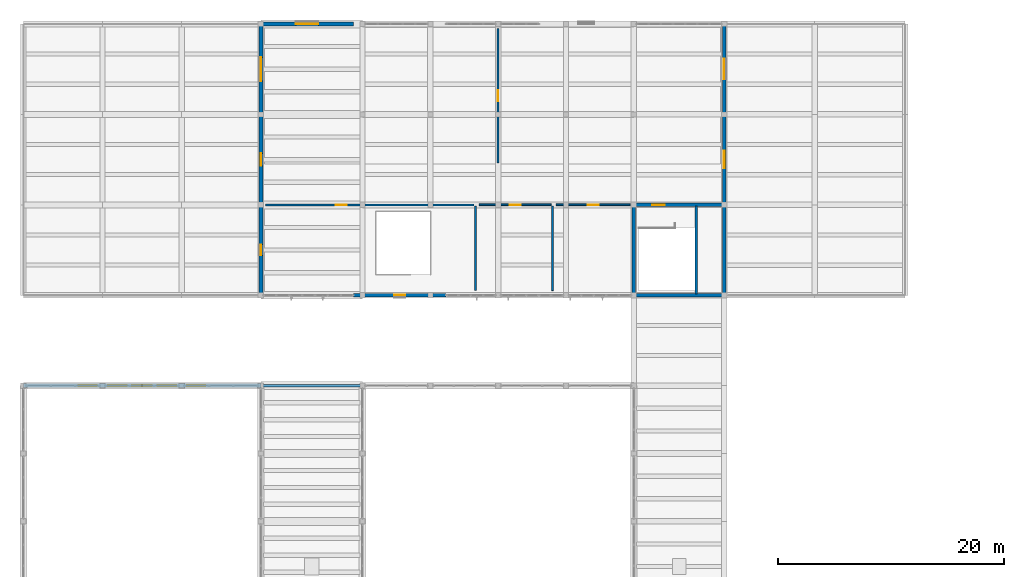
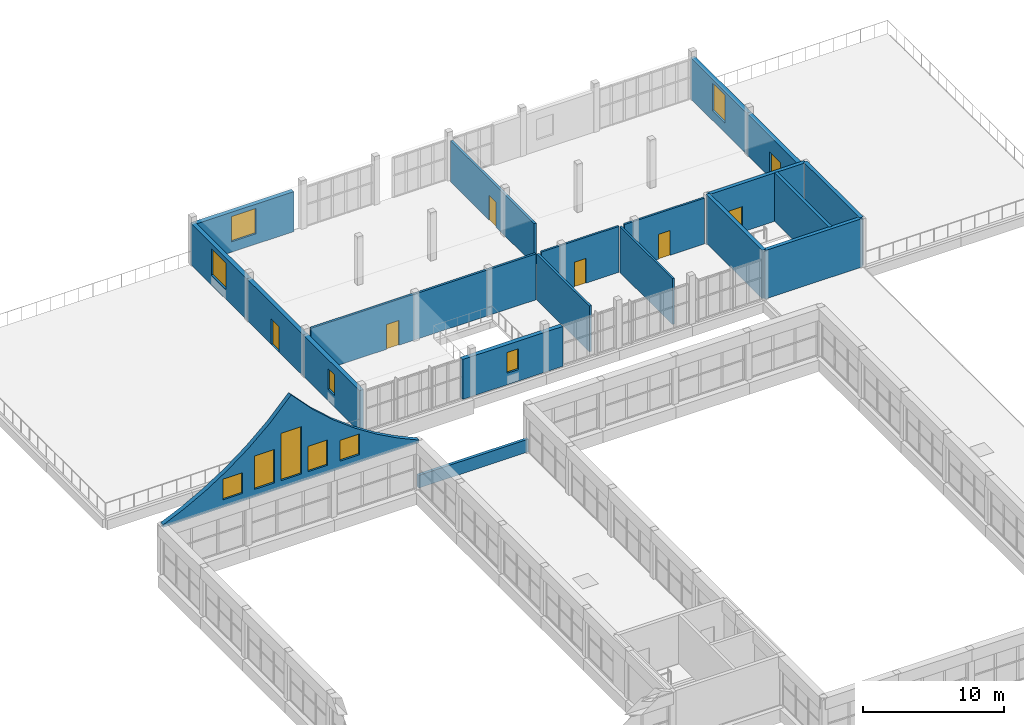
# One storey, part 55 of 70: 20 walls, 10 windows, 7 doors, 17 openings.
"""IFC4 building model written with IfcOpenShell, lengths in metres."""

from ifc_helpers import new_model, si_unit, direction, frame, frame_2d, origin, place, context, subcontext, project, spatial, polyline, rectangle, outline, extrude, material, layer, layer_set, type_object, element, fill, save


model = new_model("IFC4")

# Units and contexts
model_context = context("Model", 3, precision=1e-05, world=origin(), true_north=direction((0.0, 1.0)))
body_context = subcontext(model_context, "Body", "Model", "MODEL_VIEW")
ifc_project = project(units=[si_unit("LENGTHUNIT", "METRE"), si_unit("AREAUNIT", "SQUARE_METRE"), si_unit("VOLUMEUNIT", "CUBIC_METRE"), si_unit("PLANEANGLEUNIT", "RADIAN"), si_unit("MASSUNIT", "GRAM", prefix="KILO")], contexts=[model_context])

# Site, building, storey
site_placement = place(None, origin())
site = spatial("IfcSite", under=ifc_project, at=site_placement, CompositionType="ELEMENT")
building_placement = place(site_placement, origin())
building = spatial("IfcBuilding", under=site, at=building_placement, Name="Solvane Community Centre", CompositionType="ELEMENT")
storey_placement = place(building_placement, frame((0.0, 0.0, 9.60009765625)))
storey = spatial("IfcBuildingStorey", under=building, at=storey_placement, Name="L02", CompositionType="ELEMENT", Elevation=9.60009765625)

# Wall, opening, window
ifc_material_1 = material(Name="Precast concrete C35/45", Category="concrete")
ifc_layer_1 = layer(ifc_material_1, 0.35009765625)
ifc_layer_set_1 = layer_set([ifc_layer_1], Name="Precast concrete C35/45")
wall_type_1 = type_object("IfcWallType", Name="Art Deco Limestone Cavity Wall 350mm [80x36dm]", PredefinedType="SOLIDWALL", material=ifc_layer_set_1)
wall_1_placement = place(storey_placement, frame((27.0, 86.0, 0.0), z_axis=(0.0, 0.0, 1.0), x_axis=(0.0, 1.0, 0.0)))
wall_1 = element("IfcWall", 1, at=wall_1_placement, inside=storey, type_object=wall_type_1, Name="Exterior Wall WL-EXT-L02-0127", PredefinedType="SOLIDWALL", context=body_context, shape_type="SweptSolid", body=[
    extrude(rectangle(XDim=8.0, YDim=0.35009765625, at=frame_2d((4.0, 0.0))), origin(), (0.0, 0.0, 1.0), 3.579833984375),
])
opening_1_placement = place(wall_1_placement, frame((3.52490234375, 0.0, 1.0)))
opening_1 = element("IfcOpeningElement", 2, at=opening_1_placement, cuts=wall_1, Name="Opening WN06", PredefinedType="OPENING", context=body_context, shape_type="SweptSolid", body=[
    extrude(rectangle(XDim=0.949951171875, YDim=1.800048828125, at=frame_2d((0.47509765625, 0.89990234375))), frame((0.0, 0.18505859375, 0.0), z_axis=(0.0, -1.0, 0.0), x_axis=(1.0, 0.0, 0.0)), (0.0, 0.0, 1.0), 0.3701171875),
])
ifc_material_2 = material(Name="Tempered low-E double glazing", Category="glass")
window_type_1 = type_object("IfcWindowType", Name="Cool-Side Shaded Slot Window 950x1800", PartitioningType="SINGLE_PANEL", PredefinedType="WINDOW", material=ifc_material_2)
window_1_placement = place(opening_1_placement, origin())
window_1 = element("IfcWindow", 3, at=window_1_placement, inside=storey, type_object=window_type_1, Name="L02-W055", OverallHeight=1.800048828125, OverallWidth=0.949951171875, PartitioningType="SINGLE_PANEL", PredefinedType="WINDOW", context=body_context, shape_type="SweptSolid", body=[
    extrude(rectangle(XDim=0.949951171875, YDim=1.800048828125, at=frame_2d((0.47509765625, 0.89990234375))), frame((0.0, 0.030029296875, 0.0), z_axis=(0.0, -1.0, 0.0), x_axis=(1.0, 0.0, 0.0)), (0.0, 0.0, 1.0), 0.06005859375),
])
fill(opening_1, window_1)

# Wall, opening, door
wall_2_placement = place(storey_placement, frame((27.0, 94.0, 0.0), z_axis=(0.0, 0.0, 1.0), x_axis=(0.0, 1.0, 0.0)))
wall_2 = element("IfcWall", 4, at=wall_2_placement, inside=storey, type_object=wall_type_1, Name="Exterior Wall WL-EXT-L02-0128", PredefinedType="SOLIDWALL", context=body_context, shape_type="SweptSolid", body=[
    extrude(rectangle(XDim=8.0, YDim=0.35009765625, at=frame_2d((4.0, 0.0))), origin(), (0.0, 0.0, 1.0), 3.579833984375),
])
opening_2_placement = place(wall_2_placement, frame((3.449951171875, 0.0, 0.0)))
opening_2 = element("IfcOpeningElement", 5, at=opening_2_placement, cuts=wall_2, Name="Opening D04", PredefinedType="OPENING", context=body_context, shape_type="SweptSolid", body=[
    extrude(rectangle(XDim=1.10009765625, YDim=2.199951171875, at=frame_2d((0.550048828125, 1.10009765625))), frame((0.0, 0.18505859375, 0.0), z_axis=(0.0, -1.0, 0.0), x_axis=(1.0, 0.0, 0.0)), (0.0, 0.0, 1.0), 0.3701171875),
])
ifc_material_3 = material(Name="Anodised bronze aluminium AW-6063 T6", Category="aluminium")
door_type_1 = type_object("IfcDoorType", Name="Glazed Terrace Access Door 1100x2200", OperationType="NOTDEFINED", PredefinedType="DOOR", material=ifc_material_3)
door_1_placement = place(opening_2_placement, origin())
door_1 = element("IfcDoor", 6, at=door_1_placement, inside=storey, type_object=door_type_1, Name="L02-ED31", OperationType="SINGLE_SWING_LEFT", OverallHeight=2.199951171875, OverallWidth=1.10009765625, PredefinedType="DOOR", context=body_context, shape_type="SweptSolid", body=[
    extrude(rectangle(XDim=1.10009765625, YDim=2.199951171875, at=frame_2d((0.550048828125, 1.10009765625))), frame((0.0, 0.02490234375, 0.0), z_axis=(0.0, -1.0, 0.0), x_axis=(1.0, 0.0, 0.0)), (0.0, 0.0, 1.0), 0.050048828125),
])
fill(opening_2, door_1)

# Wall, opening, window
wall_3_placement = place(storey_placement, frame((27.0, 102.0, 0.0), z_axis=(0.0, 0.0, 1.0), x_axis=(0.0, 1.0, 0.0)))
wall_3 = element("IfcWall", 7, at=wall_3_placement, inside=storey, type_object=wall_type_1, Name="Exterior Wall WL-EXT-L02-0129", PredefinedType="SOLIDWALL", context=body_context, shape_type="SweptSolid", body=[
    extrude(rectangle(XDim=8.0, YDim=0.35009765625, at=frame_2d((4.0, 0.0))), origin(), (0.0, 0.0, 1.0), 3.579833984375),
])
opening_3_placement = place(wall_3_placement, frame((2.949951171875, 0.0, 0.85009765625)))
opening_3 = element("IfcOpeningElement", 8, at=opening_3_placement, cuts=wall_3, Name="Opening WN13", PredefinedType="OPENING", context=body_context, shape_type="SweptSolid", body=[
    extrude(rectangle(XDim=2.10009765625, YDim=2.300048828125, at=frame_2d((1.050048828125, 1.14990234375))), frame((0.0, 0.18505859375, 0.0), z_axis=(0.0, -1.0, 0.0), x_axis=(1.0, 0.0, 0.0)), (0.0, 0.0, 1.0), 0.3701171875),
])
window_type_2 = type_object("IfcWindowType", Name="Courtyard Studio Window 2100x2300", PartitioningType="DOUBLE_PANEL_VERTICAL", PredefinedType="WINDOW", material=ifc_material_2)
window_2_placement = place(opening_3_placement, origin())
window_2 = element("IfcWindow", 9, at=window_2_placement, inside=storey, type_object=window_type_2, Name="L02-W056", OverallHeight=2.300048828125, OverallWidth=2.10009765625, PartitioningType="DOUBLE_PANEL_VERTICAL", PredefinedType="WINDOW", context=body_context, shape_type="SweptSolid", body=[
    extrude(rectangle(XDim=2.10009765625, YDim=2.300048828125, at=frame_2d((1.050048828125, 1.14990234375))), frame((0.0, 0.030029296875, 0.0), z_axis=(0.0, -1.0, 0.0), x_axis=(1.0, 0.0, 0.0)), (0.0, 0.0, 1.0), 0.06005859375),
])
fill(opening_3, window_2)

wall_4_placement = place(storey_placement, frame((68.0, 110.0, 0.0), z_axis=(0.0, 0.0, 1.0), x_axis=(0.0, -1.0, 0.0)))
wall_4 = element("IfcWall", 10, at=wall_4_placement, inside=storey, type_object=wall_type_1, Name="Exterior Wall WL-EXT-L02-0132", PredefinedType="SOLIDWALL", context=body_context, shape_type="SweptSolid", body=[
    extrude(rectangle(XDim=8.0, YDim=0.35009765625, at=frame_2d((4.0, 0.0))), origin(), (0.0, 0.0, 1.0), 3.579833984375),
])
opening_4_placement = place(wall_4_placement, frame((3.10009765625, 0.0, 0.85009765625)))
opening_4 = element("IfcOpeningElement", 11, at=opening_4_placement, cuts=wall_4, Name="Opening WN03", PredefinedType="OPENING", context=body_context, shape_type="SweptSolid", body=[
    extrude(rectangle(XDim=1.800048828125, YDim=2.39990234375, at=frame_2d((0.89990234375, 1.199951171875))), frame((0.0, 0.18505859375, 0.0), z_axis=(0.0, -1.0, 0.0), x_axis=(1.0, 0.0, 0.0)), (0.0, 0.0, 1.0), 0.3701171875),
])
window_type_3 = type_object("IfcWindowType", Name="Library Reading Window 1800x2400", PartitioningType="DOUBLE_PANEL_VERTICAL", PredefinedType="WINDOW", material=ifc_material_2)
window_3_placement = place(opening_4_placement, origin())
window_3 = element("IfcWindow", 12, at=window_3_placement, inside=storey, type_object=window_type_3, Name="L02-W059", OverallHeight=2.39990234375, OverallWidth=1.800048828125, PartitioningType="DOUBLE_PANEL_VERTICAL", PredefinedType="WINDOW", context=body_context, shape_type="SweptSolid", body=[
    extrude(rectangle(XDim=1.800048828125, YDim=2.39990234375, at=frame_2d((0.89990234375, 1.199951171875))), frame((0.0, 0.030029296875, 0.0), z_axis=(0.0, -1.0, 0.0), x_axis=(1.0, 0.0, 0.0)), (0.0, 0.0, 1.0), 0.06005859375),
])
fill(opening_4, window_3)

# Wall, opening, door
wall_5_placement = place(storey_placement, frame((68.0, 102.0, 0.0), z_axis=(0.0, 0.0, 1.0), x_axis=(0.0, -1.0, 0.0)))
wall_5 = element("IfcWall", 13, at=wall_5_placement, inside=storey, type_object=wall_type_1, Name="Exterior Wall WL-EXT-L02-0133", PredefinedType="SOLIDWALL", context=body_context, shape_type="SweptSolid", body=[
    extrude(rectangle(XDim=8.0, YDim=0.35009765625, at=frame_2d((4.0, 0.0))), origin(), (0.0, 0.0, 1.0), 3.579833984375),
])
opening_5_placement = place(wall_5_placement, frame((3.22509765625, 0.0, 0.0)))
opening_5 = element("IfcOpeningElement", 14, at=opening_5_placement, cuts=wall_5, Name="Opening D08", PredefinedType="OPENING", context=body_context, shape_type="SweptSolid", body=[
    extrude(rectangle(XDim=1.550048828125, YDim=2.199951171875, at=frame_2d((0.77490234375, 1.10009765625))), frame((0.0, 0.18505859375, 0.0), z_axis=(0.0, -1.0, 0.0), x_axis=(1.0, 0.0, 0.0)), (0.0, 0.0, 1.0), 0.3701171875),
])
door_type_2 = type_object("IfcDoorType", Name="Upper Terrace Glazed Pair 1550x2200", OperationType="NOTDEFINED", PredefinedType="DOOR", material=ifc_material_3)
door_2_placement = place(opening_5_placement, origin())
door_2 = element("IfcDoor", 15, at=door_2_placement, inside=storey, type_object=door_type_2, Name="L02-ED32", OperationType="SINGLE_SWING_LEFT", OverallHeight=2.199951171875, OverallWidth=1.550048828125, PredefinedType="DOOR", context=body_context, shape_type="SweptSolid", body=[
    extrude(rectangle(XDim=1.550048828125, YDim=2.199951171875, at=frame_2d((0.77490234375, 1.10009765625))), frame((0.0, 0.02490234375, 0.0), z_axis=(0.0, -1.0, 0.0), x_axis=(1.0, 0.0, 0.0)), (0.0, 0.0, 1.0), 0.050048828125),
])
fill(opening_5, door_2)

# Wall, opening, window
ifc_layer_2 = layer(ifc_material_1, 0.35009765625)
ifc_layer_set_2 = layer_set([ifc_layer_2], Name="Precast concrete C35/45")
wall_type_2 = type_object("IfcWallType", Name="Art Deco Limestone Cavity Wall 350mm [82x35dm]", PredefinedType="SOLIDWALL", material=ifc_layer_set_2)
wall_6_placement = place(storey_placement, frame((27.0, 110.0, 0.0), z_axis=(0.0, 0.0, 1.0), x_axis=(1.0, 0.0, 0.0)))
wall_6 = element("IfcWall", 16, at=wall_6_placement, inside=storey, type_object=wall_type_2, Name="Exterior Wall WL-EXT-L02-0130", PredefinedType="SOLIDWALL", context=body_context, shape_type="SweptSolid", body=[
    extrude(rectangle(XDim=8.199951171875, YDim=0.35009765625, at=frame_2d((4.10009765625, 0.0))), origin(), (0.0, 0.0, 1.0), 3.46484375),
])
opening_6_placement = place(wall_6_placement, frame((3.10009765625, 0.0, 0.89990234375)))
opening_6 = element("IfcOpeningElement", 17, at=opening_6_placement, cuts=wall_6, Name="Opening WN02", PredefinedType="OPENING", context=body_context, shape_type="SweptSolid", body=[
    extrude(rectangle(XDim=2.0, YDim=2.199951171875, at=frame_2d((1.0, 1.10009765625))), frame((0.0, 0.18505859375, 0.0), z_axis=(0.0, -1.0, 0.0), x_axis=(1.0, 0.0, 0.0)), (0.0, 0.0, 1.0), 0.3701171875),
])
window_type_4 = type_object("IfcWindowType", Name="Classroom Paired Window 2000x2200", PartitioningType="DOUBLE_PANEL_VERTICAL", PredefinedType="WINDOW", material=ifc_material_2)
window_4_placement = place(opening_6_placement, origin())
window_4 = element("IfcWindow", 18, at=window_4_placement, inside=storey, type_object=window_type_4, Name="L02-W057", OverallHeight=2.199951171875, OverallWidth=2.0, PartitioningType="DOUBLE_PANEL_VERTICAL", PredefinedType="WINDOW", context=body_context, shape_type="SweptSolid", body=[
    extrude(rectangle(XDim=2.0, YDim=2.199951171875, at=frame_2d((1.0, 1.10009765625))), frame((0.0, 0.030029296875, 0.0), z_axis=(0.0, -1.0, 0.0), x_axis=(1.0, 0.0, 0.0)), (0.0, 0.0, 1.0), 0.06005859375),
])
fill(opening_6, window_4)

wall_7_placement = place(storey_placement, frame((43.39990234375, 86.0, 0.0), z_axis=(0.0, 0.0, 1.0), x_axis=(-1.0, 0.0, 0.0)))
wall_7 = element("IfcWall", 19, at=wall_7_placement, inside=storey, type_object=wall_type_2, Name="Exterior Wall WL-EXT-L02-0136", PredefinedType="SOLIDWALL", context=body_context, shape_type="SweptSolid", body=[
    extrude(rectangle(XDim=8.199951171875, YDim=0.35009765625, at=frame_2d((4.10009765625, 0.0))), origin(), (0.0, 0.0, 1.0), 3.46484375),
])
opening_7_placement = place(wall_7_placement, frame((3.625, 0.0, 1.0)))
opening_7 = element("IfcOpeningElement", 20, at=opening_7_placement, cuts=wall_7, Name="Opening WN06", PredefinedType="OPENING", context=body_context, shape_type="SweptSolid", body=[
    extrude(rectangle(XDim=0.949951171875, YDim=1.800048828125, at=frame_2d((0.47509765625, 0.89990234375))), frame((0.0, 0.18505859375, 0.0), z_axis=(0.0, -1.0, 0.0), x_axis=(1.0, 0.0, 0.0)), (0.0, 0.0, 1.0), 0.3701171875),
])
window_5_placement = place(opening_7_placement, origin())
window_5 = element("IfcWindow", 21, at=window_5_placement, inside=storey, type_object=window_type_1, Name="L02-W060", OverallHeight=1.800048828125, OverallWidth=0.949951171875, PartitioningType="SINGLE_PANEL", PredefinedType="WINDOW", context=body_context, shape_type="SweptSolid", body=[
    extrude(rectangle(XDim=0.949951171875, YDim=1.800048828125, at=frame_2d((0.47509765625, 0.89990234375))), frame((0.0, 0.030029296875, 0.0), z_axis=(0.0, -1.0, 0.0), x_axis=(1.0, 0.0, 0.0)), (0.0, 0.0, 1.0), 0.06005859375),
])
fill(opening_7, window_5)

# Wall, openings, windows
ifc_layer_3 = layer(ifc_material_1, 0.360107421875)
ifc_layer_set_3 = layer_set([ifc_layer_3], Name="Precast concrete C35/45")
wall_type_3 = type_object("IfcWallType", Name="Peaked Hall Gable Translucent-Frame Wall 360mm", PredefinedType="SOLIDWALL", material=ifc_layer_set_3)
wall_8_placement = place(storey_placement, frame((6.0, 78.0, 3.97998046875), z_axis=(0.0, 0.0, 1.0), x_axis=(1.0, 0.0, 0.0)))
wall_8 = element("IfcWall", 22, at=wall_8_placement, inside=storey, type_object=wall_type_3, Name="Exterior Wall WL-EXT-L02-0105", PredefinedType="SOLIDWALL", context=body_context, shape_type="SweptSolid", body=[
    extrude(outline(polyline([(0.0, 0.0), (21.0, 0.0), (21.0, 0.219970703125), (19.25, 1.016845703125), (17.5, 1.966552734375), (15.75, 3.087890625), (14.0, 4.40771484375), (12.25, 5.96484375), (10.5, 7.81982421875), (8.75, 5.96484375), (7.0, 4.40771484375), (5.25, 3.087890625), (3.5, 1.966552734375), (1.75, 1.016845703125), (0.0, 0.219970703125), (0.0, 0.0)])), frame((0.0, 0.18017578125, 0.0), z_axis=(0.0, -1.0, 0.0), x_axis=(1.0, 0.0, 0.0)), (0.0, 0.0, 1.0), 0.360107421875),
])
opening_8_placement = place(wall_8_placement, frame((4.89990234375, 0.0, 0.669921875)))
opening_8 = element("IfcOpeningElement", 23, at=opening_8_placement, cuts=wall_8, Name="Opening WN05", PredefinedType="OPENING", context=body_context, shape_type="SweptSolid", body=[
    extrude(rectangle(XDim=1.60009765625, YDim=1.800048828125, at=frame_2d((0.800048828125, 0.89990234375))), frame((0.0, 0.18994140625, 0.0), z_axis=(0.0, -1.0, 0.0), x_axis=(1.0, 0.0, 0.0)), (0.0, 0.0, 1.0), 0.380126953125),
])
opening_9_placement = place(wall_8_placement, frame((7.5, 0.0, 0.669921875)))
opening_9 = element("IfcOpeningElement", 24, at=opening_9_placement, cuts=wall_8, Name="Opening WN19", PredefinedType="OPENING", context=body_context, shape_type="SweptSolid", body=[
    extrude(rectangle(XDim=1.64990234375, YDim=2.89990234375, at=frame_2d((0.824951171875, 1.449951171875))), frame((0.0, 0.18994140625, 0.0), z_axis=(0.0, -1.0, 0.0), x_axis=(1.0, 0.0, 0.0)), (0.0, 0.0, 1.0), 0.380126953125),
])
opening_10_placement = place(wall_8_placement, frame((9.64990234375, 0.0, 0.669921875)))
opening_10 = element("IfcOpeningElement", 25, at=opening_10_placement, cuts=wall_8, Name="Opening WN18", PredefinedType="OPENING", context=body_context, shape_type="SweptSolid", body=[
    extrude(rectangle(XDim=1.699951171875, YDim=4.10009765625, at=frame_2d((0.85009765625, 2.050048828125))), frame((0.0, 0.18994140625, 0.0), z_axis=(0.0, -1.0, 0.0), x_axis=(1.0, 0.0, 0.0)), (0.0, 0.0, 1.0), 0.380126953125),
])
opening_11_placement = place(wall_8_placement, frame((11.89990234375, 0.0, 0.669921875)))
opening_11 = element("IfcOpeningElement", 26, at=opening_11_placement, cuts=wall_8, Name="Opening WN09", PredefinedType="OPENING", context=body_context, shape_type="SweptSolid", body=[
    extrude(rectangle(XDim=1.60009765625, YDim=2.199951171875, at=frame_2d((0.800048828125, 1.10009765625))), frame((0.0, 0.18994140625, 0.0), z_axis=(0.0, -1.0, 0.0), x_axis=(1.0, 0.0, 0.0)), (0.0, 0.0, 1.0), 0.380126953125),
])
opening_12_placement = place(wall_8_placement, frame((14.5, 0.0, 0.669921875)))
opening_12 = element("IfcOpeningElement", 27, at=opening_12_placement, cuts=wall_8, Name="Opening WN05", PredefinedType="OPENING", context=body_context, shape_type="SweptSolid", body=[
    extrude(rectangle(XDim=1.60009765625, YDim=1.800048828125, at=frame_2d((0.800048828125, 0.89990234375))), frame((0.0, 0.18994140625, 0.0), z_axis=(0.0, -1.0, 0.0), x_axis=(1.0, 0.0, 0.0)), (0.0, 0.0, 1.0), 0.380126953125),
])
ifc_material_4 = material(Name="Translucent channel glass", Category="glass")
window_type_5 = type_object("IfcWindowType", Name="Gable Channel-Glass Eave Lancet 1600x2200", PartitioningType="SINGLE_PANEL", PredefinedType="WINDOW", material=ifc_material_4)
window_6_placement = place(opening_11_placement, origin())
window_6 = element("IfcWindow", 28, at=window_6_placement, inside=storey, type_object=window_type_5, Name="L02-W047", OverallHeight=2.199951171875, OverallWidth=1.60009765625, PartitioningType="SINGLE_PANEL", PredefinedType="WINDOW", context=body_context, shape_type="SweptSolid", body=[
    extrude(rectangle(XDim=1.60009765625, YDim=2.199951171875, at=frame_2d((0.800048828125, 1.10009765625))), frame((0.0, 0.030029296875, 0.0), z_axis=(0.0, -1.0, 0.0), x_axis=(1.0, 0.0, 0.0)), (0.0, 0.0, 1.0), 0.06005859375),
])
fill(opening_11, window_6)
window_type_6 = type_object("IfcWindowType", Name="Sports Gable Mid Lancet 1650x2900", PartitioningType="DOUBLE_PANEL_VERTICAL", PredefinedType="WINDOW", material=ifc_material_4)
window_7_placement = place(opening_9_placement, origin())
window_7 = element("IfcWindow", 29, at=window_7_placement, inside=storey, type_object=window_type_6, Name="L02-W045", OverallHeight=2.89990234375, OverallWidth=1.64990234375, PartitioningType="DOUBLE_PANEL_VERTICAL", PredefinedType="WINDOW", context=body_context, shape_type="SweptSolid", body=[
    extrude(rectangle(XDim=1.64990234375, YDim=2.89990234375, at=frame_2d((0.824951171875, 1.449951171875))), frame((0.0, 0.030029296875, 0.0), z_axis=(0.0, -1.0, 0.0), x_axis=(1.0, 0.0, 0.0)), (0.0, 0.0, 1.0), 0.06005859375),
])
fill(opening_9, window_7)
window_type_7 = type_object("IfcWindowType", Name="Sports Gable Peak Lancet 1700x4100", PartitioningType="TRIPLE_PANEL_VERTICAL", PredefinedType="WINDOW", material=ifc_material_4)
window_8_placement = place(opening_10_placement, origin())
window_8 = element("IfcWindow", 30, at=window_8_placement, inside=storey, type_object=window_type_7, Name="L02-W046", OverallHeight=4.10009765625, OverallWidth=1.699951171875, PartitioningType="TRIPLE_PANEL_VERTICAL", PredefinedType="WINDOW", context=body_context, shape_type="SweptSolid", body=[
    extrude(rectangle(XDim=1.699951171875, YDim=4.10009765625, at=frame_2d((0.85009765625, 2.050048828125))), frame((0.0, 0.030029296875, 0.0), z_axis=(0.0, -1.0, 0.0), x_axis=(1.0, 0.0, 0.0)), (0.0, 0.0, 1.0), 0.06005859375),
])
fill(opening_10, window_8)
window_type_8 = type_object("IfcWindowType", Name="Studio Deep-Reveal Window 1400x1800", PartitioningType="SINGLE_PANEL", PredefinedType="WINDOW", material=ifc_material_2)
window_9_placement = place(opening_8_placement, origin())
window_9 = element("IfcWindow", 31, at=window_9_placement, inside=storey, type_object=window_type_8, Name="L02-W044", OverallHeight=1.800048828125, OverallWidth=1.60009765625, PartitioningType="SINGLE_PANEL", PredefinedType="WINDOW", context=body_context, shape_type="SweptSolid", body=[
    extrude(rectangle(XDim=1.60009765625, YDim=1.800048828125, at=frame_2d((0.800048828125, 0.89990234375))), frame((0.0, 0.030029296875, 0.0), z_axis=(0.0, -1.0, 0.0), x_axis=(1.0, 0.0, 0.0)), (0.0, 0.0, 1.0), 0.06005859375),
])
fill(opening_8, window_9)
window_10_placement = place(opening_12_placement, origin())
window_10 = element("IfcWindow", 32, at=window_10_placement, inside=storey, type_object=window_type_8, Name="L02-W048", OverallHeight=1.800048828125, OverallWidth=1.60009765625, PartitioningType="SINGLE_PANEL", PredefinedType="WINDOW", context=body_context, shape_type="SweptSolid", body=[
    extrude(rectangle(XDim=1.60009765625, YDim=1.800048828125, at=frame_2d((0.800048828125, 0.89990234375))), frame((0.0, 0.030029296875, 0.0), z_axis=(0.0, -1.0, 0.0), x_axis=(1.0, 0.0, 0.0)), (0.0, 0.0, 1.0), 0.06005859375),
])
fill(opening_12, window_10)

# Wall, opening, door
ifc_material_5 = material(Name="Gypsum board partition")
ifc_layer_4 = layer(ifc_material_5, 0.179931640625)
ifc_layer_set_4 = layer_set([ifc_layer_4], Name="Gypsum board partition")
wall_type_4 = type_object("IfcWallType", Name="Protected Corridor Wall 180mm [119x36dm]", PredefinedType="PARTITIONING", material=ifc_layer_set_4)
wall_9_placement = place(storey_placement, frame((48.0, 97.719970703125, 0.0), z_axis=(0.0, 0.0, 1.0), x_axis=(0.0, 1.0, 0.0)))
wall_9 = element("IfcWall", 33, at=wall_9_placement, inside=storey, type_object=wall_type_4, Name="Interior Wall WL-INT-L02-0335", PredefinedType="PARTITIONING", context=body_context, shape_type="SweptSolid", body=[
    extrude(rectangle(XDim=11.860107421875, YDim=0.179931640625, at=frame_2d((5.93017578125, 0.0))), origin(), (0.0, 0.0, 1.0), 3.579833984375),
])
opening_13_placement = place(wall_9_placement, frame((5.429931640625, 0.0, 0.0)))
opening_13 = element("IfcOpeningElement", 34, at=opening_13_placement, cuts=wall_9, Name="Opening ID01", PredefinedType="OPENING", context=body_context, shape_type="SweptSolid", body=[
    extrude(rectangle(XDim=1.0, YDim=2.14990234375, at=frame_2d((0.5, 1.074951171875))), frame((0.0, 0.099853515625, 0.0), z_axis=(0.0, -1.0, 0.0), x_axis=(1.0, 0.0, 0.0)), (0.0, 0.0, 1.0), 0.199951171875),
])
door_type_3 = type_object("IfcDoorType", Name="Corridor Rated Classroom Door 1000x2150", OperationType="NOTDEFINED", PredefinedType="DOOR", material=ifc_material_3)
door_3_placement = place(opening_13_placement, origin())
door_3 = element("IfcDoor", 35, at=door_3_placement, inside=storey, type_object=door_type_3, Name="L02-D132", OperationType="SINGLE_SWING_LEFT", OverallHeight=2.14990234375, OverallWidth=1.0, PredefinedType="DOOR", context=body_context, shape_type="SweptSolid", body=[
    extrude(rectangle(XDim=1.0, YDim=2.14990234375, at=frame_2d((0.5, 1.074951171875))), frame((0.0, 0.02490234375, 0.0), z_axis=(0.0, -1.0, 0.0), x_axis=(1.0, 0.0, 0.0)), (0.0, 0.0, 1.0), 0.050048828125),
])
fill(opening_13, door_3)

ifc_layer_5 = layer(ifc_material_5, 0.179931640625)
ifc_layer_set_5 = layer_set([ifc_layer_5], Name="Gypsum board partition")
wall_type_5 = type_object("IfcWallType", Name="Protected Corridor Wall 180mm [185x40dm]", PredefinedType="PARTITIONING", material=ifc_layer_set_5)
wall_10_placement = place(storey_placement, frame((45.8798828125, 94.0, 0.0), z_axis=(0.0, 0.0, 1.0), x_axis=(-1.0, 0.0, 0.0)))
wall_10 = element("IfcWall", 36, at=wall_10_placement, inside=storey, type_object=wall_type_5, Name="Interior Wall WL-INT-L02-0330", PredefinedType="PARTITIONING", context=body_context, shape_type="SweptSolid", body=[
    extrude(rectangle(XDim=18.4599609375, YDim=0.179931640625, at=frame_2d((9.22998046875, 0.0))), origin(), (0.0, 0.0, 1.0), 3.97998046875),
])
opening_14_placement = place(wall_10_placement, frame((11.259033203125, 0.0, 0.0)))
opening_14 = element("IfcOpeningElement", 37, at=opening_14_placement, cuts=wall_10, Name="Opening ID01", PredefinedType="OPENING", context=body_context, shape_type="SweptSolid", body=[
    extrude(rectangle(XDim=1.0, YDim=2.14990234375, at=frame_2d((0.5, 1.074951171875))), frame((0.0, 0.099853515625, 0.0), z_axis=(0.0, -1.0, 0.0), x_axis=(1.0, 0.0, 0.0)), (0.0, 0.0, 1.0), 0.199951171875),
])
door_4_placement = place(opening_14_placement, origin())
door_4 = element("IfcDoor", 38, at=door_4_placement, inside=storey, type_object=door_type_3, Name="L02-D129", OperationType="SINGLE_SWING_RIGHT", OverallHeight=2.14990234375, OverallWidth=1.0, PredefinedType="DOOR", context=body_context, shape_type="SweptSolid", body=[
    extrude(rectangle(XDim=1.0, YDim=2.14990234375, at=frame_2d((0.5, 1.074951171875))), frame((0.0, 0.02490234375, 0.0), z_axis=(0.0, -1.0, 0.0), x_axis=(1.0, 0.0, 0.0)), (0.0, 0.0, 1.0), 0.050048828125),
])
fill(opening_14, door_4)

# Walls
ifc_layer_6 = layer(ifc_material_5, 0.179931640625)
ifc_layer_set_6 = layer_set([ifc_layer_6], Name="Gypsum board partition")
wall_type_6 = type_object("IfcWallType", Name="Protected Corridor Wall 180mm [75x40dm]", PredefinedType="PARTITIONING", material=ifc_layer_set_6)
wall_11_placement = place(storey_placement, frame((46.0, 86.419921875, 0.0), z_axis=(0.0, 0.0, 1.0), x_axis=(0.0, 1.0, 0.0)))
element("IfcWall", 39, at=wall_11_placement, inside=storey, type_object=wall_type_6, Name="Interior Wall WL-INT-L02-0331", PredefinedType="PARTITIONING", context=body_context, shape_type="SweptSolid", body=[
    extrude(rectangle(XDim=7.4599609375, YDim=0.179931640625, at=frame_2d((3.72998046875, 0.0))), origin(), (0.0, 0.0, 1.0), 3.97998046875),
])
ifc_material_6 = material(Name="Concrete C35/45", Category="concrete")
ifc_layer_7 = layer(ifc_material_6, 0.300048828125)
ifc_layer_set_7 = layer_set([ifc_layer_7], Name="Concrete C35/45")
wall_type_7 = type_object("IfcWallType", Name="RC Core Shear Wall 300mm [80x42dm]", PredefinedType="SHEAR", material=ifc_layer_set_7)
wall_12_placement = place(storey_placement, frame((60.0, 86.0, 0.0), z_axis=(0.0, 0.0, 1.0), x_axis=(0.0, 1.0, 0.0)))
element("IfcWall", 40, at=wall_12_placement, inside=storey, type_object=wall_type_7, Name="Interior Wall WL-INT-L02-0131", PredefinedType="SHEAR", context=body_context, shape_type="SweptSolid", body=[
    extrude(rectangle(XDim=8.0, YDim=0.300048828125, at=frame_2d((4.0, 0.0))), origin(), (0.0, 0.0, 1.0), 4.199951171875),
])

# Wall, opening, door
wall_13_placement = place(storey_placement, frame((60.0, 94.0, 0.0), z_axis=(0.0, 0.0, 1.0), x_axis=(1.0, 0.0, 0.0)))
wall_13 = element("IfcWall", 41, at=wall_13_placement, inside=storey, type_object=wall_type_7, Name="Interior Wall WL-INT-L02-0132", PredefinedType="SHEAR", context=body_context, shape_type="SweptSolid", body=[
    extrude(rectangle(XDim=8.0, YDim=0.300048828125, at=frame_2d((4.0, 0.0))), origin(), (0.0, 0.0, 1.0), 4.199951171875),
])
opening_15_placement = place(wall_13_placement, frame((1.64990234375, 0.0, 0.0)))
opening_15 = element("IfcOpeningElement", 42, at=opening_15_placement, cuts=wall_13, Name="Opening SD02", PredefinedType="OPENING", context=body_context, shape_type="SweptSolid", body=[
    extrude(rectangle(XDim=1.10009765625, YDim=2.199951171875, at=frame_2d((0.550048828125, 1.10009765625))), frame((0.0, 0.159912109375, 0.0), z_axis=(0.0, -1.0, 0.0), x_axis=(1.0, 0.0, 0.0)), (0.0, 0.0, 1.0), 0.320068359375),
])
door_type_4 = type_object("IfcDoorType", Name="Core Stair Fire Door 1100x2200", OperationType="NOTDEFINED", PredefinedType="DOOR", material=ifc_material_3)
door_5_placement = place(opening_15_placement, origin())
door_5 = element("IfcDoor", 43, at=door_5_placement, inside=storey, type_object=door_type_4, Name="L02-D047", OperationType="SINGLE_SWING_LEFT", OverallHeight=2.199951171875, OverallWidth=1.10009765625, PredefinedType="DOOR", context=body_context, shape_type="SweptSolid", body=[
    extrude(rectangle(XDim=1.10009765625, YDim=2.199951171875, at=frame_2d((0.550048828125, 1.10009765625))), frame((0.0, 0.02490234375, 0.0), z_axis=(0.0, -1.0, 0.0), x_axis=(1.0, 0.0, 0.0)), (0.0, 0.0, 1.0), 0.050048828125),
])
fill(opening_15, door_5)

# Walls
ifc_layer_8 = layer(ifc_material_6, 0.300048828125)
ifc_layer_set_8 = layer_set([ifc_layer_8], Name="Concrete C35/45")
wall_type_8 = type_object("IfcWallType", Name="RC Exterior Core Strip Wall 300mm [80x35dm]", PredefinedType="SOLIDWALL", material=ifc_layer_set_8)
wall_14_placement = place(storey_placement, frame((68.0, 86.0, 0.0), z_axis=(0.0, 0.0, 1.0), x_axis=(-1.0, 0.0, 0.0)))
element("IfcWall", 44, at=wall_14_placement, inside=storey, type_object=wall_type_8, Name="Exterior Wall WL-EXT-L02-0135", PredefinedType="SOLIDWALL", context=body_context, shape_type="SweptSolid", body=[
    extrude(rectangle(XDim=8.0, YDim=0.300048828125, at=frame_2d((4.0, 0.0))), origin(), (0.0, 0.0, 1.0), 4.199951171875),
])
ifc_layer_9 = layer(ifc_material_6, 0.300048828125)
ifc_layer_set_9 = layer_set([ifc_layer_9], Name="Concrete C35/45")
wall_type_9 = type_object("IfcWallType", Name="RC Exterior Core Strip Wall 300mm [80x36dm]", PredefinedType="SOLIDWALL", material=ifc_layer_set_9)
wall_15_placement = place(storey_placement, frame((68.0, 94.0, 0.0), z_axis=(0.0, 0.0, 1.0), x_axis=(0.0, -1.0, 0.0)))
element("IfcWall", 45, at=wall_15_placement, inside=storey, type_object=wall_type_9, Name="Exterior Wall WL-EXT-L02-0134", PredefinedType="SOLIDWALL", context=body_context, shape_type="SweptSolid", body=[
    extrude(rectangle(XDim=8.0, YDim=0.300048828125, at=frame_2d((4.0, 0.0))), origin(), (0.0, 0.0, 1.0), 4.199951171875),
])
ifc_layer_10 = layer(ifc_material_6, 0.25)
ifc_layer_set_10 = layer_set([ifc_layer_10], Name="Concrete C35/45")
wall_type_10 = type_object("IfcWallType", Name="RC Lift Shaft Wall 250mm [78x42dm]", PredefinedType="SHEAR", material=ifc_layer_set_10)
wall_16_placement = place(storey_placement, frame((65.52001953125, 86.10009765625, 0.0), z_axis=(0.0, 0.0, 1.0), x_axis=(0.0, 1.0, 0.0)))
element("IfcWall", 46, at=wall_16_placement, inside=storey, type_object=wall_type_10, Name="Interior Wall WL-INT-L02-0133", PredefinedType="SHEAR", context=body_context, shape_type="SweptSolid", body=[
    extrude(rectangle(XDim=7.7998046875, YDim=0.25, at=frame_2d((3.89990234375, 0.0))), origin(), (0.0, 0.0, 1.0), 4.199951171875),
])

# Wall, opening, door
ifc_layer_11 = layer(ifc_material_5, 0.159912109375)
ifc_layer_set_11 = layer_set([ifc_layer_11], Name="Gypsum board partition")
wall_type_11 = type_object("IfcWallType", Name="Sanitary Plumbing Chase Wall 160mm [64x40dm]", PredefinedType="PLUMBINGWALL", material=ifc_layer_set_11)
wall_17_placement = place(storey_placement, frame((52.679931640625, 94.0, 0.0), z_axis=(0.0, 0.0, 1.0), x_axis=(-1.0, 0.0, 0.0)))
wall_17 = element("IfcWall", 47, at=wall_17_placement, inside=storey, type_object=wall_type_11, Name="Interior Wall WL-INT-L02-0332", PredefinedType="PLUMBINGWALL", context=body_context, shape_type="SweptSolid", body=[
    extrude(rectangle(XDim=6.35986328125, YDim=0.159912109375, at=frame_2d((3.179931640625, 0.0))), origin(), (0.0, 0.0, 1.0), 3.97998046875),
])
opening_16_placement = place(wall_17_placement, frame((2.705078125, 0.0, 0.0)))
opening_16 = element("IfcOpeningElement", 48, at=opening_16_placement, cuts=wall_17, Name="Opening ID03", PredefinedType="OPENING", context=body_context, shape_type="SweptSolid", body=[
    extrude(rectangle(XDim=0.949951171875, YDim=2.14990234375, at=frame_2d((0.47509765625, 1.074951171875))), frame((0.0, 0.08984375, 0.0), z_axis=(0.0, -1.0, 0.0), x_axis=(1.0, 0.0, 0.0)), (0.0, 0.0, 1.0), 0.179931640625),
])
door_type_5 = type_object("IfcDoorType", Name="Accessible Sanitary Door 950x2150", OperationType="NOTDEFINED", PredefinedType="DOOR", material=ifc_material_3)
door_6_placement = place(opening_16_placement, origin())
door_6 = element("IfcDoor", 49, at=door_6_placement, inside=storey, type_object=door_type_5, Name="L02-D130", OperationType="SINGLE_SWING_LEFT", OverallHeight=2.14990234375, OverallWidth=0.949951171875, PredefinedType="DOOR", context=body_context, shape_type="SweptSolid", body=[
    extrude(rectangle(XDim=0.949951171875, YDim=2.14990234375, at=frame_2d((0.47509765625, 1.074951171875))), frame((0.0, 0.02490234375, 0.0), z_axis=(0.0, -1.0, 0.0), x_axis=(1.0, 0.0, 0.0)), (0.0, 0.0, 1.0), 0.050048828125),
])
fill(opening_16, door_6)

ifc_layer_12 = layer(ifc_material_5, 0.159912109375)
ifc_layer_set_12 = layer_set([ifc_layer_12], Name="Gypsum board partition")
wall_type_12 = type_object("IfcWallType", Name="Sanitary Plumbing Chase Wall 160mm [66x40dm]", PredefinedType="PLUMBINGWALL", material=ifc_layer_set_12)
wall_18_placement = place(storey_placement, frame((59.679931640625, 94.0, 0.0), z_axis=(0.0, 0.0, 1.0), x_axis=(-1.0, 0.0, 0.0)))
wall_18 = element("IfcWall", 50, at=wall_18_placement, inside=storey, type_object=wall_type_12, Name="Interior Wall WL-INT-L02-0334", PredefinedType="PLUMBINGWALL", context=body_context, shape_type="SweptSolid", body=[
    extrude(rectangle(XDim=6.559814453125, YDim=0.159912109375, at=frame_2d((3.27978515625, 0.0))), origin(), (0.0, 0.0, 1.0), 3.97998046875),
])
opening_17_placement = place(wall_18_placement, frame((2.804931640625, 0.0, 0.0)))
opening_17 = element("IfcOpeningElement", 51, at=opening_17_placement, cuts=wall_18, Name="Opening ID03", PredefinedType="OPENING", context=body_context, shape_type="SweptSolid", body=[
    extrude(rectangle(XDim=0.949951171875, YDim=2.14990234375, at=frame_2d((0.47509765625, 1.074951171875))), frame((0.0, 0.08984375, 0.0), z_axis=(0.0, -1.0, 0.0), x_axis=(1.0, 0.0, 0.0)), (0.0, 0.0, 1.0), 0.179931640625),
])
door_7_placement = place(opening_17_placement, origin())
door_7 = element("IfcDoor", 52, at=door_7_placement, inside=storey, type_object=door_type_5, Name="L02-D131", OperationType="SINGLE_SWING_RIGHT", OverallHeight=2.14990234375, OverallWidth=0.949951171875, PredefinedType="DOOR", context=body_context, shape_type="SweptSolid", body=[
    extrude(rectangle(XDim=0.949951171875, YDim=2.14990234375, at=frame_2d((0.47509765625, 1.074951171875))), frame((0.0, 0.02490234375, 0.0), z_axis=(0.0, -1.0, 0.0), x_axis=(1.0, 0.0, 0.0)), (0.0, 0.0, 1.0), 0.050048828125),
])
fill(opening_17, door_7)

# Walls
ifc_layer_13 = layer(ifc_material_5, 0.159912109375)
ifc_layer_set_13 = layer_set([ifc_layer_13], Name="Gypsum board partition")
wall_type_13 = type_object("IfcWallType", Name="Sanitary Plumbing Chase Wall 160mm [75x40dm]", PredefinedType="PLUMBINGWALL", material=ifc_layer_set_13)
wall_19_placement = place(storey_placement, frame((52.800048828125, 86.419921875, 0.0), z_axis=(0.0, 0.0, 1.0), x_axis=(0.0, 1.0, 0.0)))
element("IfcWall", 53, at=wall_19_placement, inside=storey, type_object=wall_type_13, Name="Interior Wall WL-INT-L02-0333", PredefinedType="PLUMBINGWALL", context=body_context, shape_type="SweptSolid", body=[
    extrude(rectangle(XDim=7.4599609375, YDim=0.159912109375, at=frame_2d((3.72998046875, 0.0))), origin(), (0.0, 0.0, 1.0), 3.97998046875),
])
ifc_layer_14 = layer(ifc_material_1, 0.239990234375)
ifc_layer_set_14 = layer_set([ifc_layer_14], Name="Precast concrete C35/45")
wall_type_14 = type_object("IfcWallType", Name="Stepped Art Deco Roof Parapet 240mm [90x11dm]", PredefinedType="PARAPET", material=ifc_layer_set_14)
wall_20_placement = place(storey_placement, frame((27.0, 78.0, 0.0), z_axis=(0.0, 0.0, 1.0), x_axis=(1.0, 0.0, 0.0)))
element("IfcWall", 54, at=wall_20_placement, inside=storey, type_object=wall_type_14, Name="Exterior Wall WL-EXT-L02-0173", PredefinedType="PARAPET", context=body_context, shape_type="SweptSolid", body=[
    extrude(rectangle(XDim=9.0, YDim=0.239990234375, at=frame_2d((4.5, 0.0))), origin(), (0.0, 0.0, 1.0), 1.099853515625),
])

save(model, "model.ifc")
